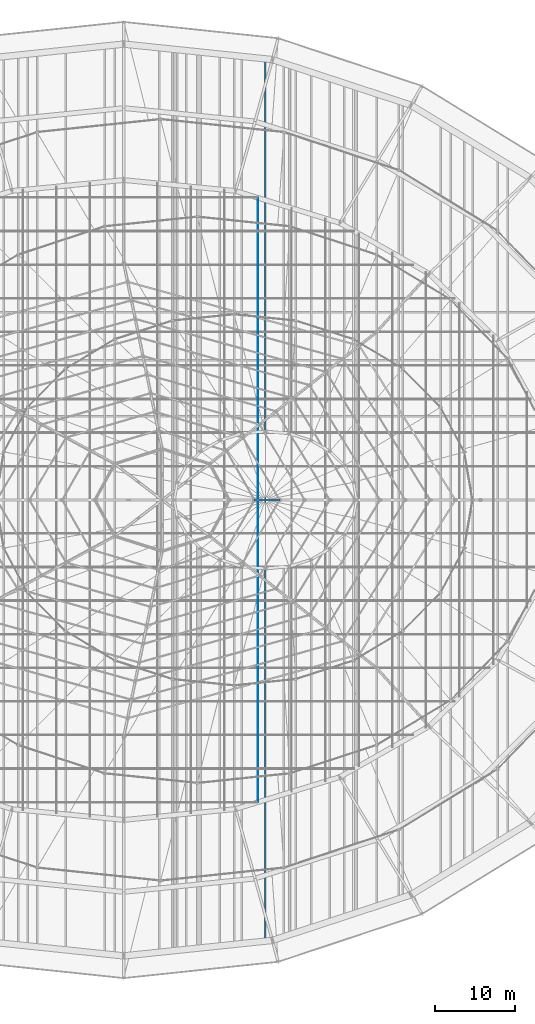
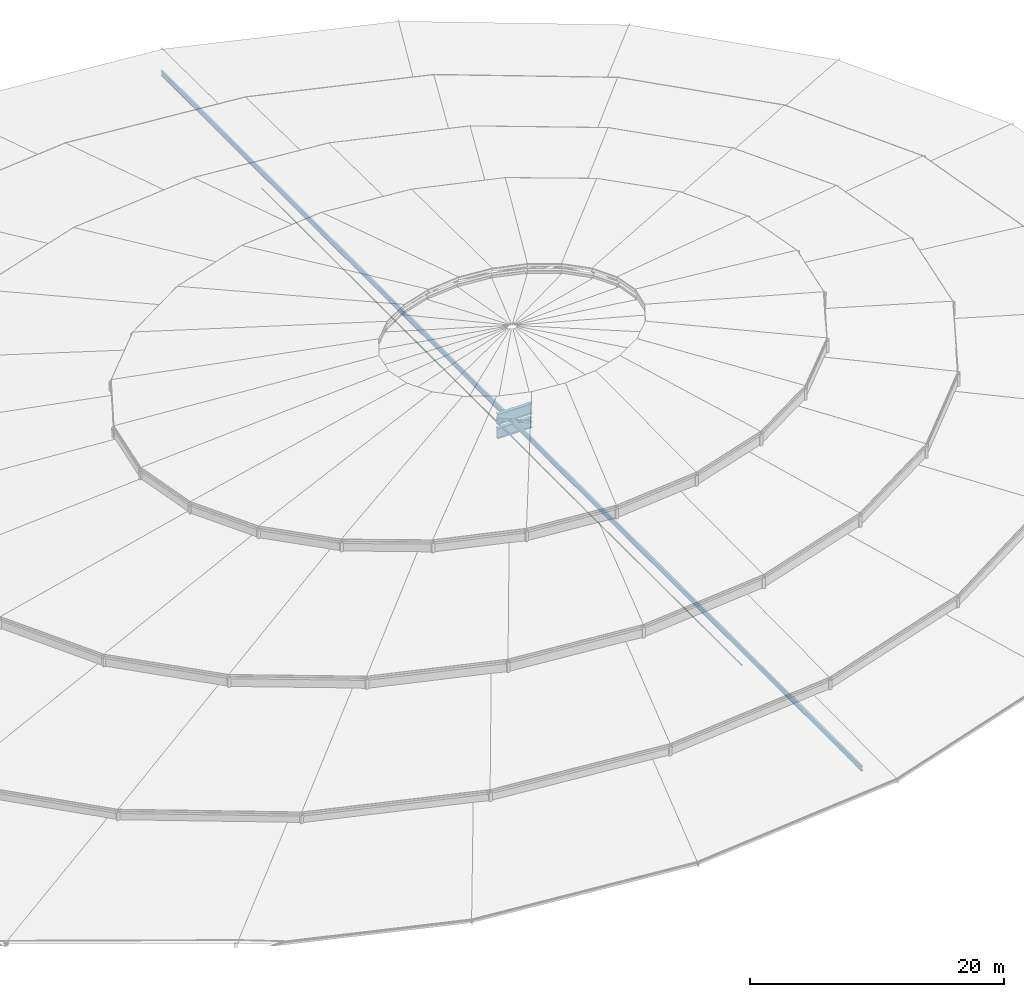
# One storey, part 70 of 184: 3 members, 2 beams.
"""IFC4 building model written with IfcOpenShell, lengths in metres."""

from ifc_helpers import new_model, si_unit, direction, frame, origin, origin_2d, place, context, subcontext, project, spatial, hollow_rectangle, circle, i_section, extrude, material, material_profile, profile_set, type_object, element, save


model = new_model("IFC4")

# Units and contexts
model_context = context("Model", 3, precision=1e-05, world=origin(), true_north=direction((0.0, 1.0)))
body_context = subcontext(model_context, "Body", "Model", "MODEL_VIEW")
ifc_project = project(units=[si_unit("LENGTHUNIT", "METRE"), si_unit("AREAUNIT", "SQUARE_METRE"), si_unit("VOLUMEUNIT", "CUBIC_METRE"), si_unit("PLANEANGLEUNIT", "RADIAN"), si_unit("MASSUNIT", "GRAM", prefix="KILO")], contexts=[model_context])

# Site, building, storey
site_placement = place(None, origin())
site = spatial("IfcSite", under=ifc_project, at=site_placement, CompositionType="ELEMENT")
building_placement = place(site_placement, origin())
building = spatial("IfcBuilding", under=site, at=building_placement, Name="Kalgoora Escarpment Arena", CompositionType="ELEMENT")
storey_placement = place(building_placement, frame((0.0, 0.0, 27.60009765625)))
storey = spatial("IfcBuildingStorey", under=building, at=storey_placement, Name="Roof Level", CompositionType="ELEMENT", Elevation=27.60009765625)

# Beams
ifc_material_1 = material(Name="Structural steel Grade 350 (350 MPa)", Category="steel")
ifc_material_profile_1 = material_profile(ifc_material_1, i_section(OverallWidth=0.300048828125, OverallDepth=1.010009765625, WebThickness=0.01611328125, FlangeThickness=0.030029296875, at=origin_2d()))
ifc_profile_set_1 = profile_set([ifc_material_profile_1], Name="Structural steel Grade 350 (350 MPa)")
beam_type = type_object("IfcBeamType", Name="BM-TRUSS-CHORD", PredefinedType="USERDEFINED", material=ifc_profile_set_1)
for number, where, z_axis, x_axis, name in (
    (1, (111.89208984375, 64.0, -1.610107421875), (-0.999998687203, 0.0, 0.001620368243), (0.0, -1.0, 0.0), "Radial ROOF TRUSS spine 1 bottom chord 10"),
    (2, (111.89208984375, 64.0, -0.27001953125), (-0.999994995918, 0.0, 0.003163564416), (0.0, -1.0, 0.0), "Radial ROOF TRUSS spine 1 top chord 10"),
):
    element("IfcBeam", number, at=place(storey_placement, frame(where, z_axis=z_axis, x_axis=x_axis)), inside=storey, type_object=beam_type, Name=name, ObjectType="GIRDER", PredefinedType="USERDEFINED", context=body_context, shape_type="SweptSolid", body=[
        extrude(i_section(OverallWidth=0.300048828125, OverallDepth=1.010009765625, WebThickness=0.01611328125, FlangeThickness=0.030029296875, at=origin_2d()), origin(), (0.0, 0.0, 1.0), 3.1640625),
    ])

# Members
ifc_material_2 = material(Name="High-tensile spiral strand steel Grade 450 (350 MPa)", Category="steel")
ifc_material_profile_2 = material_profile(ifc_material_2, circle(Radius=0.035888671875, at=origin_2d()))
ifc_profile_set_2 = profile_set([ifc_material_profile_2], Name="High-tensile spiral strand steel Grade 450 (350 MPa)")
member_type_1 = type_object("IfcMemberType", Name="MEM-CABLE-72", PredefinedType="USERDEFINED", material=ifc_profile_set_2)
member_1_placement = place(storey_placement, frame((109.199951171875, 26.2294921875, -1.190185546875), z_axis=(0.0, 1.0, 0.0), x_axis=(-1.0, 0.0, 0.0)))
element("IfcMember", 3, at=member_1_placement, inside=storey, type_object=member_type_1, Name="Roof saddle pretensioning cable Y-34", ObjectType="CABLE", PredefinedType="USERDEFINED", context=body_context, shape_type="SweptSolid", body=[
    extrude(circle(Radius=0.035888671875, at=origin_2d()), origin(), (0.0, 0.0, 1.0), 75.541015625),
])
ifc_material_3 = material(Name="Structural steel AS/NZS 3679 (300 MPa)", Category="steel")
ifc_material_profile_3 = material_profile(ifc_material_3, i_section(OverallWidth=0.19091796875, OverallDepth=0.4599609375, WebThickness=0.010009765625, FlangeThickness=0.01611328125, at=origin_2d()))
ifc_profile_set_3 = profile_set([ifc_material_profile_3], Name="Structural steel AS/NZS 3679 (300 MPa)")
member_type_2 = type_object("IfcMemberType", Name="MEM-CARRIER-CHORD", PredefinedType="CHORD", material=ifc_profile_set_3)
member_2_placement = place(storey_placement, frame((110.110107421875, 8.850830078125, -0.900146484375), z_axis=(0.0, 1.0, 0.0), x_axis=(-1.0, 0.0, 0.0)))
element("IfcMember", 4, at=member_2_placement, inside=storey, type_object=member_type_2, Name="Crown dome spanning carrier chord C07", PredefinedType="CHORD", context=body_context, shape_type="SweptSolid", body=[
    extrude(i_section(OverallWidth=0.19091796875, OverallDepth=0.4599609375, WebThickness=0.010009765625, FlangeThickness=0.01611328125, at=origin_2d()), origin(), (0.0, 0.0, 1.0), 110.29833984375),
])
ifc_material_4 = material(Name="Structural steel C350 (350 MPa)", Category="steel")
ifc_material_profile_4 = material_profile(ifc_material_4, hollow_rectangle(XDim=0.199951171875, YDim=0.199951171875, WallThickness=0.009033203125, at=origin_2d()))
ifc_profile_set_4 = profile_set([ifc_material_profile_4], Name="Structural steel C350 (350 MPa)")
member_type_3 = type_object("IfcMemberType", Name="MEM-TRUSS-DIAG", PredefinedType="BRACE", material=ifc_profile_set_4)
member_3_placement = place(storey_placement, frame((111.8798828125, 64.0, -1.610107421875), z_axis=(-0.918675149611, 0.0, 0.395013885184), x_axis=(0.0, 1.0, 0.0)))
element("IfcMember", 5, at=member_3_placement, inside=storey, type_object=member_type_3, Name="Radial ROOF TRUSS spine 1 web diagonal 10", PredefinedType="BRACE", context=body_context, shape_type="SweptSolid", body=[
    extrude(hollow_rectangle(XDim=0.199951171875, YDim=0.199951171875, WallThickness=0.009033203125, at=origin_2d()), origin(), (0.0, 0.0, 1.0), 3.41796875),
])

save(model, "model.ifc")
